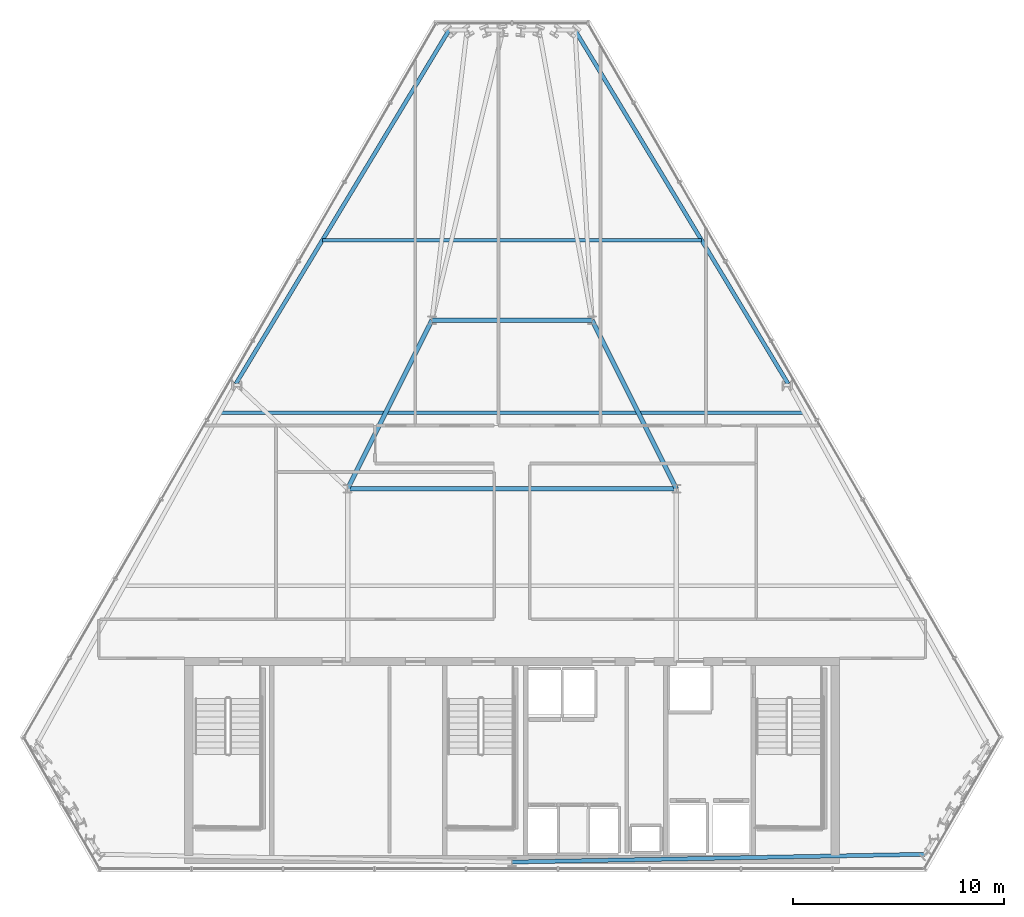
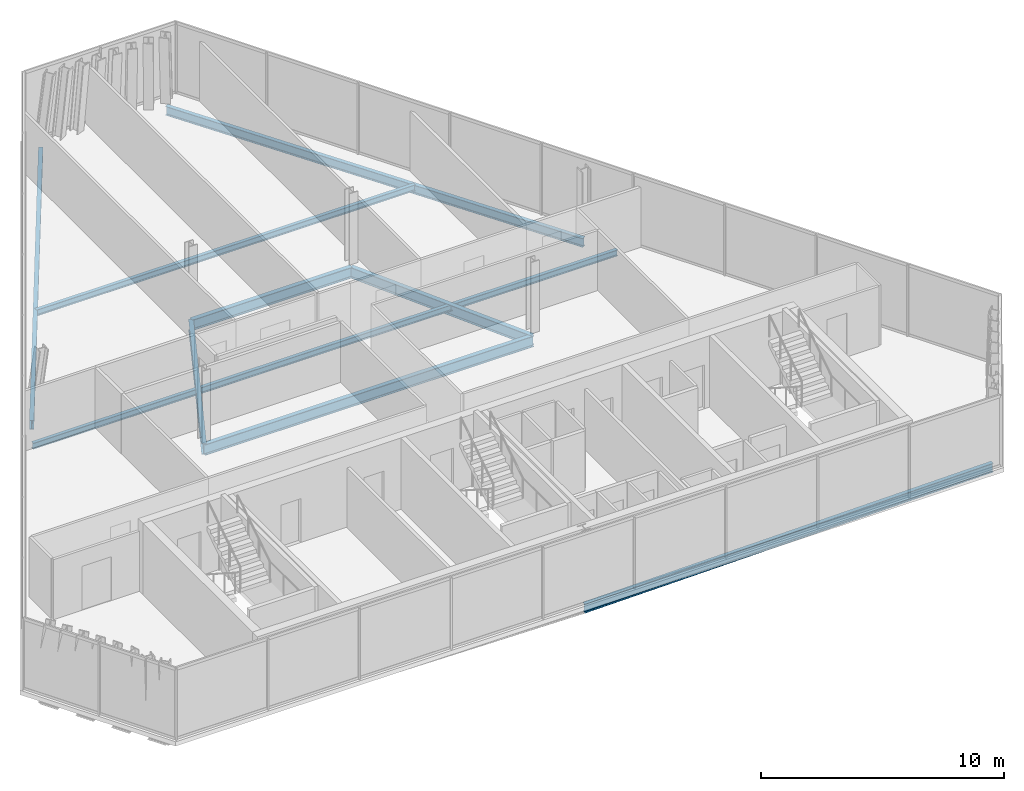
# One storey, part 13 of 29: 9 beams.
"""IFC4 building model written with IfcOpenShell, lengths in metres."""

from ifc_helpers import new_model, si_unit, direction, frame, origin, origin_2d, place, context, subcontext, project, spatial, i_section, extrude, material, material_profile, profile_set, type_object, element, save


model = new_model("IFC4")

# Units and contexts
model_context = context("Model", 3, precision=1e-05, world=origin(), true_north=direction((0.0, 1.0)))
body_context = subcontext(model_context, "Body", "Model", "MODEL_VIEW")
ifc_project = project(units=[si_unit("LENGTHUNIT", "METRE"), si_unit("AREAUNIT", "SQUARE_METRE"), si_unit("VOLUMEUNIT", "CUBIC_METRE"), si_unit("PLANEANGLEUNIT", "RADIAN"), si_unit("MASSUNIT", "GRAM", prefix="KILO")], contexts=[model_context])

# Site, building, storey
site_placement = place(None, origin())
site = spatial("IfcSite", under=ifc_project, at=site_placement, CompositionType="ELEMENT")
building_placement = place(site_placement, origin())
building = spatial("IfcBuilding", under=site, at=building_placement, Name="Ndaravel Arena Tower", CompositionType="ELEMENT")
storey_placement = place(building_placement, frame((0.0, 0.0, 237.0)))
storey = spatial("IfcBuildingStorey", under=building, at=storey_placement, Name="L57", CompositionType="ELEMENT", Elevation=237.0)

# Beams
ifc_material_1 = material(Name="Steel S355", Category="steel")
ifc_material_profile_1 = material_profile(ifc_material_1, i_section(OverallWidth=0.210693359375, OverallDepth=0.53955078125, WebThickness=0.01171875, FlangeThickness=0.018798828125, FilletRadius=0.0126953125, at=origin_2d()), Name="UB 533x210x109")
ifc_profile_set_1 = profile_set([ifc_material_profile_1], Name="Steel S355")
beam_type_1 = type_object("IfcBeamType", Name="BM-GIRD-UB533", PredefinedType="BEAM", material=ifc_profile_set_1)
beam_1_placement = place(storey_placement, frame((34.199951171875, 23.199951171875, -0.48974609375), z_axis=(1.0, 0.0, 0.0), x_axis=(0.0, 1.0, 0.0)))
element("IfcBeam", 1, at=beam_1_placement, inside=storey, type_object=beam_type_1, Name="L57 Spine Link Girder SLG-03", PredefinedType="BEAM", context=body_context, shape_type="SweptSolid", body=[
    extrude(i_section(OverallWidth=0.210693359375, OverallDepth=0.53955078125, WebThickness=0.01171875, FlangeThickness=0.018798828125, FilletRadius=0.0126953125, at=origin_2d()), origin(), (0.0, 0.0, 1.0), 15.60009765625),
])
for number, where, z_axis, x_axis, name in (
    (2, (34.199951171875, 23.199951171875, -0.48974609375), (0.4472135955, 0.894427191, 0.0), (-0.894427191, 0.4472135955, 0.0), "L57 Spine Link Girder SLG-04"),
    (3, (49.800048828125, 23.199951171875, -0.48974609375), (-0.4472135955, 0.894427191, 0.0), (-0.894427191, -0.4472135955, 0.0), "L57 Spine Link Girder SLG-05"),
):
    element("IfcBeam", number, at=place(storey_placement, frame(where, z_axis=z_axis, x_axis=x_axis)), inside=storey, type_object=beam_type_1, Name=name, PredefinedType="BEAM", context=body_context, shape_type="SweptSolid", body=[
        extrude(i_section(OverallWidth=0.210693359375, OverallDepth=0.53955078125, WebThickness=0.01171875, FlangeThickness=0.018798828125, FilletRadius=0.0126953125, at=origin_2d()), origin(), (0.0, 0.0, 1.0), 8.9443359375),
    ])
beam_2_placement = place(storey_placement, frame((38.199951171875, 31.199951171875, -0.48974609375), z_axis=(1.0, 0.0, 0.0), x_axis=(0.0, 1.0, 0.0)))
element("IfcBeam", 4, at=beam_2_placement, inside=storey, type_object=beam_type_1, Name="L57 Spine Link Girder SLG-06", PredefinedType="BEAM", context=body_context, shape_type="SweptSolid", body=[
    extrude(i_section(OverallWidth=0.210693359375, OverallDepth=0.53955078125, WebThickness=0.01171875, FlangeThickness=0.018798828125, FilletRadius=0.0126953125, at=origin_2d()), origin(), (0.0, 0.0, 1.0), 7.60009765625),
])
ifc_material_2 = material(Name="Steel S355", Category="steel")
ifc_material_profile_2 = material_profile(ifc_material_2, i_section(OverallWidth=0.165771484375, OverallDepth=0.306640625, WebThickness=0.006591796875, FlangeThickness=0.01171875, FilletRadius=0.0087890625, at=origin_2d()), Name="UB 305x165x46")
ifc_profile_set_2 = profile_set([ifc_material_profile_2], Name="Steel S355")
beam_type_2 = type_object("IfcBeamType", Name="BM-JOIST-UB305", PredefinedType="JOIST", material=ifc_profile_set_2)
beam_3_placement = place(storey_placement, frame((28.129638671875, 26.800048828125, -0.373291015625), z_axis=(1.0, 0.0, 0.0), x_axis=(0.0, 1.0, 0.0)))
element("IfcBeam", 5, at=beam_3_placement, inside=storey, type_object=beam_type_2, Name="L57 Composite Floor Joist FJ-02", PredefinedType="JOIST", context=body_context, shape_type="SweptSolid", body=[
    extrude(i_section(OverallWidth=0.165771484375, OverallDepth=0.306640625, WebThickness=0.006591796875, FlangeThickness=0.01171875, FilletRadius=0.0087890625, at=origin_2d()), origin(), (0.0, 0.0, 1.0), 27.74072265625),
])
beam_4_placement = place(storey_placement, frame((33.0029296875, 35.0, -0.373291015625), z_axis=(1.0, 0.0, 0.0), x_axis=(0.0, 1.0, 0.0)))
element("IfcBeam", 6, at=beam_4_placement, inside=storey, type_object=beam_type_2, Name="L57 Composite Floor Joist FJ-03", PredefinedType="JOIST", context=body_context, shape_type="SweptSolid", body=[
    extrude(i_section(OverallWidth=0.165771484375, OverallDepth=0.306640625, WebThickness=0.006591796875, FlangeThickness=0.01171875, FilletRadius=0.0087890625, at=origin_2d()), origin(), (0.0, 0.0, 1.0), 17.994140625),
])
ifc_material_3 = material(Name="Steel S355", Category="steel")
ifc_material_profile_3 = material_profile(ifc_material_3, i_section(OverallWidth=0.18994140625, OverallDepth=0.449951171875, WebThickness=0.009521484375, FlangeThickness=0.0146484375, FilletRadius=0.02099609375, at=origin_2d()), Name="IPE 450")
ifc_profile_set_3 = profile_set([ifc_material_profile_3], Name="Steel S355")
beam_type_3 = type_object("IfcBeamType", Name="BM-SPAN-IPE450", PredefinedType="SPANDREL", material=ifc_profile_set_3)
beam_5_placement = place(storey_placement, frame((42.0, 5.47998046875, -0.445068359375), z_axis=(0.999822176745, 0.018857754053, 0.0), x_axis=(-0.018857754053, 0.999822176745, 0.0)))
element("IfcBeam", 7, at=beam_5_placement, inside=storey, type_object=beam_type_3, Name="L57 Perimeter Spandrel Beam SP-01", PredefinedType="SPANDREL", context=body_context, shape_type="SweptSolid", body=[
    extrude(i_section(OverallWidth=0.18994140625, OverallDepth=0.449951171875, WebThickness=0.009521484375, FlangeThickness=0.0146484375, FilletRadius=0.02099609375, at=origin_2d()), origin(), (0.0, 0.0, 1.0), 19.600830078125),
])
for number, where, z_axis, x_axis, name in (
    (8, (55.10693359375, 28.181884765625, -0.445068359375), (-0.51624395282, 0.856441580715, 0.0), (-0.856441580715, -0.51624395282, 0.0), "L57 Perimeter Spandrel Beam SP-10"),
    (9, (39.011962890625, 44.968994140625, -0.445068359375), (-0.51624395282, -0.856441580715, 0.0), (0.856441580715, -0.51624395282, 0.0), "L57 Perimeter Spandrel Beam SP-18"),
):
    element("IfcBeam", number, at=place(storey_placement, frame(where, z_axis=z_axis, x_axis=x_axis)), inside=storey, type_object=beam_type_3, Name=name, PredefinedType="SPANDREL", context=body_context, shape_type="SweptSolid", body=[
        extrude(i_section(OverallWidth=0.18994140625, OverallDepth=0.449951171875, WebThickness=0.009521484375, FlangeThickness=0.0146484375, FilletRadius=0.02099609375, at=origin_2d()), origin(), (0.0, 0.0, 1.0), 19.60107421875),
    ])

save(model, "model.ifc")
